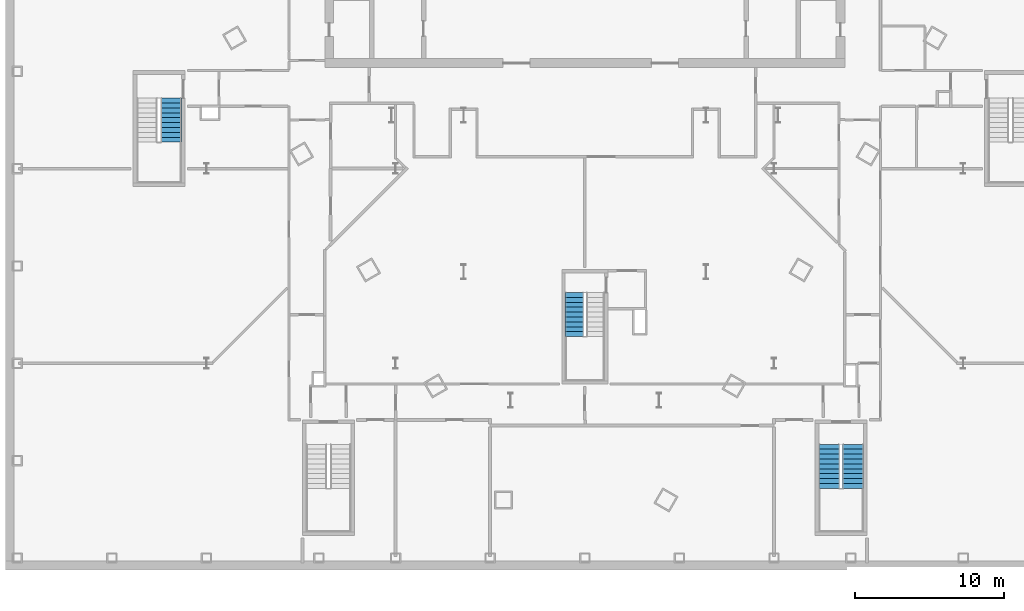
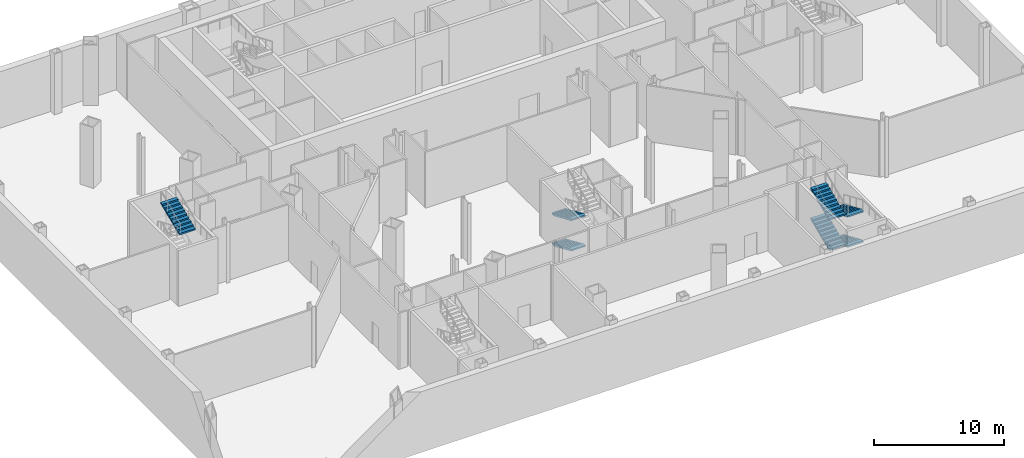
# One storey, part 13 of 17: 7 stair flights, 3 elements without a shape of their own.
"""IFC4 building model written with IfcOpenShell, lengths in metres."""

from ifc_helpers import new_model, si_unit, direction, frame, origin, place, context, subcontext, project, spatial, polygons, material, type_object, element, aggregate, save


model = new_model("IFC4")

# Units and contexts
model_context = context("Model", 3, precision=1e-05, world=origin(), true_north=direction((0.0, 1.0)))
body_context = subcontext(model_context, "Body", "Model", "MODEL_VIEW")
ifc_project = project(units=[si_unit("LENGTHUNIT", "METRE"), si_unit("AREAUNIT", "SQUARE_METRE"), si_unit("VOLUMEUNIT", "CUBIC_METRE"), si_unit("PLANEANGLEUNIT", "RADIAN"), si_unit("MASSUNIT", "GRAM", prefix="KILO")], contexts=[model_context])

# Site, building, storey
site_placement = place(None, origin())
site = spatial("IfcSite", under=ifc_project, at=site_placement, CompositionType="ELEMENT")
building_placement = place(site_placement, origin())
building = spatial("IfcBuilding", under=site, at=building_placement, Name="Njiva Tower", CompositionType="ELEMENT")
storey_placement = place(building_placement, frame((0.0, 0.0, -11.4)))
storey = spatial("IfcBuildingStorey", under=building, at=storey_placement, Name="B2", CompositionType="ELEMENT", Elevation=-11.4)

# Stair, stair flights
ifc_material = material(Name="Concrete C40/50", Category="concrete")
stair_type_1 = type_object("IfcStairType", Name="ST1 Exit stair 1250", PredefinedType="HALF_TURN_STAIR", material=ifc_material)
stair_1_placement = place(storey_placement, origin())
stair_1 = element("IfcStair", 1, at=stair_1_placement, inside=storey, type_object=stair_type_1, Name="Stair C basement", PredefinedType="DOUBLE_RETURN_STAIR")
stair_flight_type_1 = type_object("IfcStairFlightType", Name="FL1 Stair flight 1250", PredefinedType="STRAIGHT", material=ifc_material)
stair_flight_1_placement = place(storey_placement, frame((-0.7, -15.135, 0.0), z_axis=(0.0, 0.0, 1.0), x_axis=(0.0, -1.0, 0.0)))
stair_flight_1 = element("IfcStairFlight", 2, at=stair_flight_1_placement, type_object=stair_flight_type_1, Name="ST-CB flight 1", NumberOfRisers=10, NumberOfTreads=9, PredefinedType="STRAIGHT", RiserHeight=0.1425, TreadLength=0.33, context=body_context, shape_type="Tessellation", body=[
    polygons([(0.0, 0.625, 0.0), (0.0, 0.3125, 0.0), (0.0, 0.0, 0.0), (0.0, -0.3125, 0.0), (0.0, -0.625, 0.0), (0.0, 0.625, 0.1425), (0.0, 0.3125, 0.1425), (0.0, 0.0, 0.1425), (0.0, -0.3125, 0.1425), (0.0, -0.625, 0.1425), (0.33, 0.625, 0.1425), (0.33, 0.3125, 0.1425), (0.33, 0.0, 0.1425), (0.33, -0.3125, 0.1425), (0.33, -0.625, 0.1425), (0.33, 0.625, 0.285), (0.33, 0.3125, 0.285), (0.33, 0.0, 0.285), (0.33, -0.3125, 0.285), (0.33, -0.625, 0.285), (0.66, 0.625, 0.285), (0.66, 0.3125, 0.285), (0.66, 0.0, 0.285), (0.66, -0.3125, 0.285), (0.66, -0.625, 0.285), (0.66, 0.625, 0.4275), (0.66, 0.3125, 0.4275), (0.66, 0.0, 0.4275), (0.66, -0.3125, 0.4275), (0.66, -0.625, 0.4275), (0.99, 0.625, 0.4275), (0.99, 0.3125, 0.4275), (0.99, 0.0, 0.4275), (0.99, -0.3125, 0.4275), (0.99, -0.625, 0.4275), (0.99, 0.625, 0.57), (0.99, 0.3125, 0.57), (0.99, 0.0, 0.57), (0.99, -0.3125, 0.57), (0.99, -0.625, 0.57), (1.32, 0.625, 0.57), (1.32, 0.3125, 0.57), (1.32, 0.0, 0.57), (1.32, -0.3125, 0.57), (1.32, -0.625, 0.57), (1.32, 0.625, 0.7125), (1.32, 0.3125, 0.7125), (1.32, 0.0, 0.7125), (1.32, -0.3125, 0.7125), (1.32, -0.625, 0.7125), (1.65, 0.625, 0.7125), (1.65, 0.3125, 0.7125), (1.65, 0.0, 0.7125), (1.65, -0.3125, 0.7125), (1.65, -0.625, 0.7125), (1.65, 0.625, 0.855), (1.65, 0.3125, 0.855), (1.65, 0.0, 0.855), (1.65, -0.3125, 0.855), (1.65, -0.625, 0.855), (1.98, 0.625, 0.855), (1.98, 0.3125, 0.855), (1.98, 0.0, 0.855), (1.98, -0.3125, 0.855), (1.98, -0.625, 0.855), (1.98, 0.625, 0.9975), (1.98, 0.3125, 0.9975), (1.98, 0.0, 0.9975), (1.98, -0.3125, 0.9975), (1.98, -0.625, 0.9975), (2.31, 0.625, 0.9975), (2.31, 0.3125, 0.9975), (2.31, 0.0, 0.9975), (2.31, -0.3125, 0.9975), (2.31, -0.625, 0.9975), (2.31, 0.625, 1.14), (2.31, 0.3125, 1.14), (2.31, 0.0, 1.14), (2.31, -0.3125, 1.14), (2.31, -0.625, 1.14), (2.64, 0.625, 1.14), (2.64, 0.3125, 1.14), (2.64, 0.0, 1.14), (2.64, -0.3125, 1.14), (2.64, -0.625, 1.14), (2.64, 0.625, 1.2825), (2.64, 0.3125, 1.2825), (2.64, 0.0, 1.2825), (2.64, -0.3125, 1.2825), (2.64, -0.625, 1.2825), (2.97, 0.625, 1.2825), (2.97, 0.3125, 1.2825), (2.97, 0.0, 1.2825), (2.97, -0.3125, 1.2825), (2.97, -0.625, 1.2825), (2.97, 0.625, 1.1518), (2.97, 0.3125, 1.1518), (2.97, 0.0, 1.1518), (2.97, -0.3125, 1.1518), (2.97, -0.625, 1.1518), (0.3027, 0.625, 0.0), (0.3027, 0.3125, 0.0), (0.3027, 0.0, 0.0), (0.3027, -0.3125, 0.0), (0.3027, -0.625, 0.0)], [[[1, 6, 11, 16, 21, 26, 31, 36, 41, 46, 51, 56, 61, 66, 71, 76, 81, 86, 91, 96, 101]], [[105, 100, 95, 90, 85, 80, 75, 70, 65, 60, 55, 50, 45, 40, 35, 30, 25, 20, 15, 10, 5]], [[6, 1, 2, 7]], [[7, 2, 3, 8]], [[8, 3, 4, 9]], [[9, 4, 5, 10]], [[11, 6, 7, 12]], [[12, 7, 8, 13]], [[13, 8, 9, 14]], [[14, 9, 10, 15]], [[16, 11, 12, 17]], [[17, 12, 13, 18]], [[18, 13, 14, 19]], [[19, 14, 15, 20]], [[21, 16, 17, 22]], [[22, 17, 18, 23]], [[23, 18, 19, 24]], [[24, 19, 20, 25]], [[26, 21, 22, 27]], [[27, 22, 23, 28]], [[28, 23, 24, 29]], [[29, 24, 25, 30]], [[31, 26, 27, 32]], [[32, 27, 28, 33]], [[33, 28, 29, 34]], [[34, 29, 30, 35]], [[36, 31, 32, 37]], [[37, 32, 33, 38]], [[38, 33, 34, 39]], [[39, 34, 35, 40]], [[41, 36, 37, 42]], [[42, 37, 38, 43]], [[43, 38, 39, 44]], [[44, 39, 40, 45]], [[46, 41, 42, 47]], [[47, 42, 43, 48]], [[48, 43, 44, 49]], [[49, 44, 45, 50]], [[51, 46, 47, 52]], [[52, 47, 48, 53]], [[53, 48, 49, 54]], [[54, 49, 50, 55]], [[56, 51, 52, 57]], [[57, 52, 53, 58]], [[58, 53, 54, 59]], [[59, 54, 55, 60]], [[61, 56, 57, 62]], [[62, 57, 58, 63]], [[63, 58, 59, 64]], [[64, 59, 60, 65]], [[66, 61, 62, 67]], [[67, 62, 63, 68]], [[68, 63, 64, 69]], [[69, 64, 65, 70]], [[71, 66, 67, 72]], [[72, 67, 68, 73]], [[73, 68, 69, 74]], [[74, 69, 70, 75]], [[76, 71, 72, 77]], [[77, 72, 73, 78]], [[78, 73, 74, 79]], [[79, 74, 75, 80]], [[81, 76, 77, 82]], [[82, 77, 78, 83]], [[83, 78, 79, 84]], [[84, 79, 80, 85]], [[86, 81, 82, 87]], [[87, 82, 83, 88]], [[88, 83, 84, 89]], [[89, 84, 85, 90]], [[91, 86, 87, 92]], [[92, 87, 88, 93]], [[93, 88, 89, 94]], [[94, 89, 90, 95]], [[96, 91, 92, 97]], [[97, 92, 93, 98]], [[98, 93, 94, 99]], [[99, 94, 95, 100]], [[101, 96, 97, 102]], [[102, 97, 98, 103]], [[103, 98, 99, 104]], [[104, 99, 100, 105]], [[1, 101, 102, 2]], [[2, 102, 103, 3]], [[3, 103, 104, 4]], [[4, 104, 105, 5]]], closed=True),
])
stair_flight_2_placement = place(storey_placement, frame((-0.7, -15.135, 2.85), z_axis=(0.0, 0.0, 1.0), x_axis=(0.0, -1.0, 0.0)))
stair_flight_2 = element("IfcStairFlight", 3, at=stair_flight_2_placement, type_object=stair_flight_type_1, Name="ST-CB flight 3", NumberOfRisers=10, NumberOfTreads=9, PredefinedType="STRAIGHT", RiserHeight=0.1425, TreadLength=0.33, context=body_context, shape_type="Tessellation", body=[
    polygons([(0.0, 0.625, 0.0), (0.0, 0.3125, 0.0), (0.0, 0.0, 0.0), (0.0, -0.3125, 0.0), (0.0, -0.625, 0.0), (0.0, 0.625, 0.1425), (0.0, 0.3125, 0.1425), (0.0, 0.0, 0.1425), (0.0, -0.3125, 0.1425), (0.0, -0.625, 0.1425), (0.33, 0.625, 0.1425), (0.33, 0.3125, 0.1425), (0.33, 0.0, 0.1425), (0.33, -0.3125, 0.1425), (0.33, -0.625, 0.1425), (0.33, 0.625, 0.285), (0.33, 0.3125, 0.285), (0.33, 0.0, 0.285), (0.33, -0.3125, 0.285), (0.33, -0.625, 0.285), (0.66, 0.625, 0.285), (0.66, 0.3125, 0.285), (0.66, 0.0, 0.285), (0.66, -0.3125, 0.285), (0.66, -0.625, 0.285), (0.66, 0.625, 0.4275), (0.66, 0.3125, 0.4275), (0.66, 0.0, 0.4275), (0.66, -0.3125, 0.4275), (0.66, -0.625, 0.4275), (0.99, 0.625, 0.4275), (0.99, 0.3125, 0.4275), (0.99, 0.0, 0.4275), (0.99, -0.3125, 0.4275), (0.99, -0.625, 0.4275), (0.99, 0.625, 0.57), (0.99, 0.3125, 0.57), (0.99, 0.0, 0.57), (0.99, -0.3125, 0.57), (0.99, -0.625, 0.57), (1.32, 0.625, 0.57), (1.32, 0.3125, 0.57), (1.32, 0.0, 0.57), (1.32, -0.3125, 0.57), (1.32, -0.625, 0.57), (1.32, 0.625, 0.7125), (1.32, 0.3125, 0.7125), (1.32, 0.0, 0.7125), (1.32, -0.3125, 0.7125), (1.32, -0.625, 0.7125), (1.65, 0.625, 0.7125), (1.65, 0.3125, 0.7125), (1.65, 0.0, 0.7125), (1.65, -0.3125, 0.7125), (1.65, -0.625, 0.7125), (1.65, 0.625, 0.855), (1.65, 0.3125, 0.855), (1.65, 0.0, 0.855), (1.65, -0.3125, 0.855), (1.65, -0.625, 0.855), (1.98, 0.625, 0.855), (1.98, 0.3125, 0.855), (1.98, 0.0, 0.855), (1.98, -0.3125, 0.855), (1.98, -0.625, 0.855), (1.98, 0.625, 0.9975), (1.98, 0.3125, 0.9975), (1.98, 0.0, 0.9975), (1.98, -0.3125, 0.9975), (1.98, -0.625, 0.9975), (2.31, 0.625, 0.9975), (2.31, 0.3125, 0.9975), (2.31, 0.0, 0.9975), (2.31, -0.3125, 0.9975), (2.31, -0.625, 0.9975), (2.31, 0.625, 1.14), (2.31, 0.3125, 1.14), (2.31, 0.0, 1.14), (2.31, -0.3125, 1.14), (2.31, -0.625, 1.14), (2.64, 0.625, 1.14), (2.64, 0.3125, 1.14), (2.64, 0.0, 1.14), (2.64, -0.3125, 1.14), (2.64, -0.625, 1.14), (2.64, 0.625, 1.2825), (2.64, 0.3125, 1.2825), (2.64, 0.0, 1.2825), (2.64, -0.3125, 1.2825), (2.64, -0.625, 1.2825), (2.97, 0.625, 1.2825), (2.97, 0.3125, 1.2825), (2.97, 0.0, 1.2825), (2.97, -0.3125, 1.2825), (2.97, -0.625, 1.2825), (2.97, 0.625, 1.1518), (2.97, 0.3125, 1.1518), (2.97, 0.0, 1.1518), (2.97, -0.3125, 1.1518), (2.97, -0.625, 1.1518), (0.3027, 0.625, 0.0), (0.3027, 0.3125, 0.0), (0.3027, 0.0, 0.0), (0.3027, -0.3125, 0.0), (0.3027, -0.625, 0.0)], [[[1, 6, 11, 16, 21, 26, 31, 36, 41, 46, 51, 56, 61, 66, 71, 76, 81, 86, 91, 96, 101]], [[105, 100, 95, 90, 85, 80, 75, 70, 65, 60, 55, 50, 45, 40, 35, 30, 25, 20, 15, 10, 5]], [[6, 1, 2, 7]], [[7, 2, 3, 8]], [[8, 3, 4, 9]], [[9, 4, 5, 10]], [[11, 6, 7, 12]], [[12, 7, 8, 13]], [[13, 8, 9, 14]], [[14, 9, 10, 15]], [[16, 11, 12, 17]], [[17, 12, 13, 18]], [[18, 13, 14, 19]], [[19, 14, 15, 20]], [[21, 16, 17, 22]], [[22, 17, 18, 23]], [[23, 18, 19, 24]], [[24, 19, 20, 25]], [[26, 21, 22, 27]], [[27, 22, 23, 28]], [[28, 23, 24, 29]], [[29, 24, 25, 30]], [[31, 26, 27, 32]], [[32, 27, 28, 33]], [[33, 28, 29, 34]], [[34, 29, 30, 35]], [[36, 31, 32, 37]], [[37, 32, 33, 38]], [[38, 33, 34, 39]], [[39, 34, 35, 40]], [[41, 36, 37, 42]], [[42, 37, 38, 43]], [[43, 38, 39, 44]], [[44, 39, 40, 45]], [[46, 41, 42, 47]], [[47, 42, 43, 48]], [[48, 43, 44, 49]], [[49, 44, 45, 50]], [[51, 46, 47, 52]], [[52, 47, 48, 53]], [[53, 48, 49, 54]], [[54, 49, 50, 55]], [[56, 51, 52, 57]], [[57, 52, 53, 58]], [[58, 53, 54, 59]], [[59, 54, 55, 60]], [[61, 56, 57, 62]], [[62, 57, 58, 63]], [[63, 58, 59, 64]], [[64, 59, 60, 65]], [[66, 61, 62, 67]], [[67, 62, 63, 68]], [[68, 63, 64, 69]], [[69, 64, 65, 70]], [[71, 66, 67, 72]], [[72, 67, 68, 73]], [[73, 68, 69, 74]], [[74, 69, 70, 75]], [[76, 71, 72, 77]], [[77, 72, 73, 78]], [[78, 73, 74, 79]], [[79, 74, 75, 80]], [[81, 76, 77, 82]], [[82, 77, 78, 83]], [[83, 78, 79, 84]], [[84, 79, 80, 85]], [[86, 81, 82, 87]], [[87, 82, 83, 88]], [[88, 83, 84, 89]], [[89, 84, 85, 90]], [[91, 86, 87, 92]], [[92, 87, 88, 93]], [[93, 88, 89, 94]], [[94, 89, 90, 95]], [[96, 91, 92, 97]], [[97, 92, 93, 98]], [[98, 93, 94, 99]], [[99, 94, 95, 100]], [[101, 96, 97, 102]], [[102, 97, 98, 103]], [[103, 98, 99, 104]], [[104, 99, 100, 105]], [[1, 101, 102, 2]], [[2, 102, 103, 3]], [[3, 103, 104, 4]], [[4, 104, 105, 5]]], closed=True),
])
aggregate(stair_1, [stair_flight_1, stair_flight_2])

stair_type_2 = type_object("IfcStairType", Name="ST2 Exit stair 1400", PredefinedType="HALF_TURN_STAIR", material=ifc_material)
stair_2_placement = place(storey_placement, origin())
stair_2 = element("IfcStair", 4, at=stair_2_placement, inside=storey, type_object=stair_type_2, Name="Stair E basement", PredefinedType="DOUBLE_RETURN_STAIR")
stair_flight_type_2 = type_object("IfcStairFlightType", Name="FL2 Stair flight 1400", PredefinedType="STRAIGHT", material=ifc_material)
stair_flight_3_placement = place(storey_placement, frame((18.05, -25.35, 0.0), z_axis=(0.0, 0.0, 1.0), x_axis=(0.0, -1.0, 0.0)))
stair_flight_3 = element("IfcStairFlight", 5, at=stair_flight_3_placement, type_object=stair_flight_type_2, Name="ST-EB flight 1", NumberOfRisers=10, NumberOfTreads=9, PredefinedType="STRAIGHT", RiserHeight=0.1425, TreadLength=0.33, context=body_context, shape_type="Tessellation", body=[
    polygons([(0.0, 0.7, 0.0), (0.0, 0.35, 0.0), (0.0, 0.0, 0.0), (0.0, -0.35, 0.0), (0.0, -0.7, 0.0), (0.0, 0.7, 0.1425), (0.0, 0.35, 0.1425), (0.0, 0.0, 0.1425), (0.0, -0.35, 0.1425), (0.0, -0.7, 0.1425), (0.33, 0.7, 0.1425), (0.33, 0.35, 0.1425), (0.33, 0.0, 0.1425), (0.33, -0.35, 0.1425), (0.33, -0.7, 0.1425), (0.33, 0.7, 0.285), (0.33, 0.35, 0.285), (0.33, 0.0, 0.285), (0.33, -0.35, 0.285), (0.33, -0.7, 0.285), (0.66, 0.7, 0.285), (0.66, 0.35, 0.285), (0.66, 0.0, 0.285), (0.66, -0.35, 0.285), (0.66, -0.7, 0.285), (0.66, 0.7, 0.4275), (0.66, 0.35, 0.4275), (0.66, 0.0, 0.4275), (0.66, -0.35, 0.4275), (0.66, -0.7, 0.4275), (0.99, 0.7, 0.4275), (0.99, 0.35, 0.4275), (0.99, 0.0, 0.4275), (0.99, -0.35, 0.4275), (0.99, -0.7, 0.4275), (0.99, 0.7, 0.57), (0.99, 0.35, 0.57), (0.99, 0.0, 0.57), (0.99, -0.35, 0.57), (0.99, -0.7, 0.57), (1.32, 0.7, 0.57), (1.32, 0.35, 0.57), (1.32, 0.0, 0.57), (1.32, -0.35, 0.57), (1.32, -0.7, 0.57), (1.32, 0.7, 0.7125), (1.32, 0.35, 0.7125), (1.32, 0.0, 0.7125), (1.32, -0.35, 0.7125), (1.32, -0.7, 0.7125), (1.65, 0.7, 0.7125), (1.65, 0.35, 0.7125), (1.65, 0.0, 0.7125), (1.65, -0.35, 0.7125), (1.65, -0.7, 0.7125), (1.65, 0.7, 0.855), (1.65, 0.35, 0.855), (1.65, 0.0, 0.855), (1.65, -0.35, 0.855), (1.65, -0.7, 0.855), (1.98, 0.7, 0.855), (1.98, 0.35, 0.855), (1.98, 0.0, 0.855), (1.98, -0.35, 0.855), (1.98, -0.7, 0.855), (1.98, 0.7, 0.9975), (1.98, 0.35, 0.9975), (1.98, 0.0, 0.9975), (1.98, -0.35, 0.9975), (1.98, -0.7, 0.9975), (2.31, 0.7, 0.9975), (2.31, 0.35, 0.9975), (2.31, 0.0, 0.9975), (2.31, -0.35, 0.9975), (2.31, -0.7, 0.9975), (2.31, 0.7, 1.14), (2.31, 0.35, 1.14), (2.31, 0.0, 1.14), (2.31, -0.35, 1.14), (2.31, -0.7, 1.14), (2.64, 0.7, 1.14), (2.64, 0.35, 1.14), (2.64, 0.0, 1.14), (2.64, -0.35, 1.14), (2.64, -0.7, 1.14), (2.64, 0.7, 1.2825), (2.64, 0.35, 1.2825), (2.64, 0.0, 1.2825), (2.64, -0.35, 1.2825), (2.64, -0.7, 1.2825), (2.97, 0.7, 1.2825), (2.97, 0.35, 1.2825), (2.97, 0.0, 1.2825), (2.97, -0.35, 1.2825), (2.97, -0.7, 1.2825), (2.97, 0.7, 1.1518), (2.97, 0.35, 1.1518), (2.97, 0.0, 1.1518), (2.97, -0.35, 1.1518), (2.97, -0.7, 1.1518), (0.3027, 0.7, 0.0), (0.3027, 0.35, 0.0), (0.3027, 0.0, 0.0), (0.3027, -0.35, 0.0), (0.3027, -0.7, 0.0)], [[[1, 6, 11, 16, 21, 26, 31, 36, 41, 46, 51, 56, 61, 66, 71, 76, 81, 86, 91, 96, 101]], [[105, 100, 95, 90, 85, 80, 75, 70, 65, 60, 55, 50, 45, 40, 35, 30, 25, 20, 15, 10, 5]], [[6, 1, 2, 7]], [[7, 2, 3, 8]], [[8, 3, 4, 9]], [[9, 4, 5, 10]], [[11, 6, 7, 12]], [[12, 7, 8, 13]], [[13, 8, 9, 14]], [[14, 9, 10, 15]], [[16, 11, 12, 17]], [[17, 12, 13, 18]], [[18, 13, 14, 19]], [[19, 14, 15, 20]], [[21, 16, 17, 22]], [[22, 17, 18, 23]], [[23, 18, 19, 24]], [[24, 19, 20, 25]], [[26, 21, 22, 27]], [[27, 22, 23, 28]], [[28, 23, 24, 29]], [[29, 24, 25, 30]], [[31, 26, 27, 32]], [[32, 27, 28, 33]], [[33, 28, 29, 34]], [[34, 29, 30, 35]], [[36, 31, 32, 37]], [[37, 32, 33, 38]], [[38, 33, 34, 39]], [[39, 34, 35, 40]], [[41, 36, 37, 42]], [[42, 37, 38, 43]], [[43, 38, 39, 44]], [[44, 39, 40, 45]], [[46, 41, 42, 47]], [[47, 42, 43, 48]], [[48, 43, 44, 49]], [[49, 44, 45, 50]], [[51, 46, 47, 52]], [[52, 47, 48, 53]], [[53, 48, 49, 54]], [[54, 49, 50, 55]], [[56, 51, 52, 57]], [[57, 52, 53, 58]], [[58, 53, 54, 59]], [[59, 54, 55, 60]], [[61, 56, 57, 62]], [[62, 57, 58, 63]], [[63, 58, 59, 64]], [[64, 59, 60, 65]], [[66, 61, 62, 67]], [[67, 62, 63, 68]], [[68, 63, 64, 69]], [[69, 64, 65, 70]], [[71, 66, 67, 72]], [[72, 67, 68, 73]], [[73, 68, 69, 74]], [[74, 69, 70, 75]], [[76, 71, 72, 77]], [[77, 72, 73, 78]], [[78, 73, 74, 79]], [[79, 74, 75, 80]], [[81, 76, 77, 82]], [[82, 77, 78, 83]], [[83, 78, 79, 84]], [[84, 79, 80, 85]], [[86, 81, 82, 87]], [[87, 82, 83, 88]], [[88, 83, 84, 89]], [[89, 84, 85, 90]], [[91, 86, 87, 92]], [[92, 87, 88, 93]], [[93, 88, 89, 94]], [[94, 89, 90, 95]], [[96, 91, 92, 97]], [[97, 92, 93, 98]], [[98, 93, 94, 99]], [[99, 94, 95, 100]], [[101, 96, 97, 102]], [[102, 97, 98, 103]], [[103, 98, 99, 104]], [[104, 99, 100, 105]], [[1, 101, 102, 2]], [[2, 102, 103, 3]], [[3, 103, 104, 4]], [[4, 104, 105, 5]]], closed=True),
])
stair_flight_4_placement = place(storey_placement, frame((16.45, -28.32, 1.425), z_axis=(0.0, 0.0, 1.0), x_axis=(0.0, 1.0, 0.0)))
stair_flight_4 = element("IfcStairFlight", 6, at=stair_flight_4_placement, type_object=stair_flight_type_2, Name="ST-EB flight 2", NumberOfRisers=10, NumberOfTreads=9, PredefinedType="STRAIGHT", RiserHeight=0.1425, TreadLength=0.33, context=body_context, shape_type="Tessellation", body=[
    polygons([(0.0, 0.7, 0.0), (0.0, 0.35, 0.0), (0.0, 0.0, 0.0), (0.0, -0.35, 0.0), (0.0, -0.7, 0.0), (0.0, 0.7, 0.1425), (0.0, 0.35, 0.1425), (0.0, 0.0, 0.1425), (0.0, -0.35, 0.1425), (0.0, -0.7, 0.1425), (0.33, 0.7, 0.1425), (0.33, 0.35, 0.1425), (0.33, 0.0, 0.1425), (0.33, -0.35, 0.1425), (0.33, -0.7, 0.1425), (0.33, 0.7, 0.285), (0.33, 0.35, 0.285), (0.33, 0.0, 0.285), (0.33, -0.35, 0.285), (0.33, -0.7, 0.285), (0.66, 0.7, 0.285), (0.66, 0.35, 0.285), (0.66, 0.0, 0.285), (0.66, -0.35, 0.285), (0.66, -0.7, 0.285), (0.66, 0.7, 0.4275), (0.66, 0.35, 0.4275), (0.66, 0.0, 0.4275), (0.66, -0.35, 0.4275), (0.66, -0.7, 0.4275), (0.99, 0.7, 0.4275), (0.99, 0.35, 0.4275), (0.99, 0.0, 0.4275), (0.99, -0.35, 0.4275), (0.99, -0.7, 0.4275), (0.99, 0.7, 0.57), (0.99, 0.35, 0.57), (0.99, 0.0, 0.57), (0.99, -0.35, 0.57), (0.99, -0.7, 0.57), (1.32, 0.7, 0.57), (1.32, 0.35, 0.57), (1.32, 0.0, 0.57), (1.32, -0.35, 0.57), (1.32, -0.7, 0.57), (1.32, 0.7, 0.7125), (1.32, 0.35, 0.7125), (1.32, 0.0, 0.7125), (1.32, -0.35, 0.7125), (1.32, -0.7, 0.7125), (1.65, 0.7, 0.7125), (1.65, 0.35, 0.7125), (1.65, 0.0, 0.7125), (1.65, -0.35, 0.7125), (1.65, -0.7, 0.7125), (1.65, 0.7, 0.855), (1.65, 0.35, 0.855), (1.65, 0.0, 0.855), (1.65, -0.35, 0.855), (1.65, -0.7, 0.855), (1.98, 0.7, 0.855), (1.98, 0.35, 0.855), (1.98, 0.0, 0.855), (1.98, -0.35, 0.855), (1.98, -0.7, 0.855), (1.98, 0.7, 0.9975), (1.98, 0.35, 0.9975), (1.98, 0.0, 0.9975), (1.98, -0.35, 0.9975), (1.98, -0.7, 0.9975), (2.31, 0.7, 0.9975), (2.31, 0.35, 0.9975), (2.31, 0.0, 0.9975), (2.31, -0.35, 0.9975), (2.31, -0.7, 0.9975), (2.31, 0.7, 1.14), (2.31, 0.35, 1.14), (2.31, 0.0, 1.14), (2.31, -0.35, 1.14), (2.31, -0.7, 1.14), (2.64, 0.7, 1.14), (2.64, 0.35, 1.14), (2.64, 0.0, 1.14), (2.64, -0.35, 1.14), (2.64, -0.7, 1.14), (2.64, 0.7, 1.2825), (2.64, 0.35, 1.2825), (2.64, 0.0, 1.2825), (2.64, -0.35, 1.2825), (2.64, -0.7, 1.2825), (2.97, 0.7, 1.2825), (2.97, 0.35, 1.2825), (2.97, 0.0, 1.2825), (2.97, -0.35, 1.2825), (2.97, -0.7, 1.2825), (2.97, 0.7, 1.1518), (2.97, 0.35, 1.1518), (2.97, 0.0, 1.1518), (2.97, -0.35, 1.1518), (2.97, -0.7, 1.1518), (0.3027, 0.7, 0.0), (0.3027, 0.35, 0.0), (0.3027, 0.0, 0.0), (0.3027, -0.35, 0.0), (0.3027, -0.7, 0.0)], [[[1, 6, 11, 16, 21, 26, 31, 36, 41, 46, 51, 56, 61, 66, 71, 76, 81, 86, 91, 96, 101]], [[105, 100, 95, 90, 85, 80, 75, 70, 65, 60, 55, 50, 45, 40, 35, 30, 25, 20, 15, 10, 5]], [[6, 1, 2, 7]], [[7, 2, 3, 8]], [[8, 3, 4, 9]], [[9, 4, 5, 10]], [[11, 6, 7, 12]], [[12, 7, 8, 13]], [[13, 8, 9, 14]], [[14, 9, 10, 15]], [[16, 11, 12, 17]], [[17, 12, 13, 18]], [[18, 13, 14, 19]], [[19, 14, 15, 20]], [[21, 16, 17, 22]], [[22, 17, 18, 23]], [[23, 18, 19, 24]], [[24, 19, 20, 25]], [[26, 21, 22, 27]], [[27, 22, 23, 28]], [[28, 23, 24, 29]], [[29, 24, 25, 30]], [[31, 26, 27, 32]], [[32, 27, 28, 33]], [[33, 28, 29, 34]], [[34, 29, 30, 35]], [[36, 31, 32, 37]], [[37, 32, 33, 38]], [[38, 33, 34, 39]], [[39, 34, 35, 40]], [[41, 36, 37, 42]], [[42, 37, 38, 43]], [[43, 38, 39, 44]], [[44, 39, 40, 45]], [[46, 41, 42, 47]], [[47, 42, 43, 48]], [[48, 43, 44, 49]], [[49, 44, 45, 50]], [[51, 46, 47, 52]], [[52, 47, 48, 53]], [[53, 48, 49, 54]], [[54, 49, 50, 55]], [[56, 51, 52, 57]], [[57, 52, 53, 58]], [[58, 53, 54, 59]], [[59, 54, 55, 60]], [[61, 56, 57, 62]], [[62, 57, 58, 63]], [[63, 58, 59, 64]], [[64, 59, 60, 65]], [[66, 61, 62, 67]], [[67, 62, 63, 68]], [[68, 63, 64, 69]], [[69, 64, 65, 70]], [[71, 66, 67, 72]], [[72, 67, 68, 73]], [[73, 68, 69, 74]], [[74, 69, 70, 75]], [[76, 71, 72, 77]], [[77, 72, 73, 78]], [[78, 73, 74, 79]], [[79, 74, 75, 80]], [[81, 76, 77, 82]], [[82, 77, 78, 83]], [[83, 78, 79, 84]], [[84, 79, 80, 85]], [[86, 81, 82, 87]], [[87, 82, 83, 88]], [[88, 83, 84, 89]], [[89, 84, 85, 90]], [[91, 86, 87, 92]], [[92, 87, 88, 93]], [[93, 88, 89, 94]], [[94, 89, 90, 95]], [[96, 91, 92, 97]], [[97, 92, 93, 98]], [[98, 93, 94, 99]], [[99, 94, 95, 100]], [[101, 96, 97, 102]], [[102, 97, 98, 103]], [[103, 98, 99, 104]], [[104, 99, 100, 105]], [[1, 101, 102, 2]], [[2, 102, 103, 3]], [[3, 103, 104, 4]], [[4, 104, 105, 5]]], closed=True),
])
stair_flight_5_placement = place(storey_placement, frame((18.05, -25.35, 2.85), z_axis=(0.0, 0.0, 1.0), x_axis=(0.0, -1.0, 0.0)))
stair_flight_5 = element("IfcStairFlight", 7, at=stair_flight_5_placement, type_object=stair_flight_type_2, Name="ST-EB flight 3", NumberOfRisers=10, NumberOfTreads=9, PredefinedType="STRAIGHT", RiserHeight=0.1425, TreadLength=0.33, context=body_context, shape_type="Tessellation", body=[
    polygons([(0.0, 0.7, 0.0), (0.0, 0.35, 0.0), (0.0, 0.0, 0.0), (0.0, -0.35, 0.0), (0.0, -0.7, 0.0), (0.0, 0.7, 0.1425), (0.0, 0.35, 0.1425), (0.0, 0.0, 0.1425), (0.0, -0.35, 0.1425), (0.0, -0.7, 0.1425), (0.33, 0.7, 0.1425), (0.33, 0.35, 0.1425), (0.33, 0.0, 0.1425), (0.33, -0.35, 0.1425), (0.33, -0.7, 0.1425), (0.33, 0.7, 0.285), (0.33, 0.35, 0.285), (0.33, 0.0, 0.285), (0.33, -0.35, 0.285), (0.33, -0.7, 0.285), (0.66, 0.7, 0.285), (0.66, 0.35, 0.285), (0.66, 0.0, 0.285), (0.66, -0.35, 0.285), (0.66, -0.7, 0.285), (0.66, 0.7, 0.4275), (0.66, 0.35, 0.4275), (0.66, 0.0, 0.4275), (0.66, -0.35, 0.4275), (0.66, -0.7, 0.4275), (0.99, 0.7, 0.4275), (0.99, 0.35, 0.4275), (0.99, 0.0, 0.4275), (0.99, -0.35, 0.4275), (0.99, -0.7, 0.4275), (0.99, 0.7, 0.57), (0.99, 0.35, 0.57), (0.99, 0.0, 0.57), (0.99, -0.35, 0.57), (0.99, -0.7, 0.57), (1.32, 0.7, 0.57), (1.32, 0.35, 0.57), (1.32, 0.0, 0.57), (1.32, -0.35, 0.57), (1.32, -0.7, 0.57), (1.32, 0.7, 0.7125), (1.32, 0.35, 0.7125), (1.32, 0.0, 0.7125), (1.32, -0.35, 0.7125), (1.32, -0.7, 0.7125), (1.65, 0.7, 0.7125), (1.65, 0.35, 0.7125), (1.65, 0.0, 0.7125), (1.65, -0.35, 0.7125), (1.65, -0.7, 0.7125), (1.65, 0.7, 0.855), (1.65, 0.35, 0.855), (1.65, 0.0, 0.855), (1.65, -0.35, 0.855), (1.65, -0.7, 0.855), (1.98, 0.7, 0.855), (1.98, 0.35, 0.855), (1.98, 0.0, 0.855), (1.98, -0.35, 0.855), (1.98, -0.7, 0.855), (1.98, 0.7, 0.9975), (1.98, 0.35, 0.9975), (1.98, 0.0, 0.9975), (1.98, -0.35, 0.9975), (1.98, -0.7, 0.9975), (2.31, 0.7, 0.9975), (2.31, 0.35, 0.9975), (2.31, 0.0, 0.9975), (2.31, -0.35, 0.9975), (2.31, -0.7, 0.9975), (2.31, 0.7, 1.14), (2.31, 0.35, 1.14), (2.31, 0.0, 1.14), (2.31, -0.35, 1.14), (2.31, -0.7, 1.14), (2.64, 0.7, 1.14), (2.64, 0.35, 1.14), (2.64, 0.0, 1.14), (2.64, -0.35, 1.14), (2.64, -0.7, 1.14), (2.64, 0.7, 1.2825), (2.64, 0.35, 1.2825), (2.64, 0.0, 1.2825), (2.64, -0.35, 1.2825), (2.64, -0.7, 1.2825), (2.97, 0.7, 1.2825), (2.97, 0.35, 1.2825), (2.97, 0.0, 1.2825), (2.97, -0.35, 1.2825), (2.97, -0.7, 1.2825), (2.97, 0.7, 1.1518), (2.97, 0.35, 1.1518), (2.97, 0.0, 1.1518), (2.97, -0.35, 1.1518), (2.97, -0.7, 1.1518), (0.3027, 0.7, 0.0), (0.3027, 0.35, 0.0), (0.3027, 0.0, 0.0), (0.3027, -0.35, 0.0), (0.3027, -0.7, 0.0)], [[[1, 6, 11, 16, 21, 26, 31, 36, 41, 46, 51, 56, 61, 66, 71, 76, 81, 86, 91, 96, 101]], [[105, 100, 95, 90, 85, 80, 75, 70, 65, 60, 55, 50, 45, 40, 35, 30, 25, 20, 15, 10, 5]], [[6, 1, 2, 7]], [[7, 2, 3, 8]], [[8, 3, 4, 9]], [[9, 4, 5, 10]], [[11, 6, 7, 12]], [[12, 7, 8, 13]], [[13, 8, 9, 14]], [[14, 9, 10, 15]], [[16, 11, 12, 17]], [[17, 12, 13, 18]], [[18, 13, 14, 19]], [[19, 14, 15, 20]], [[21, 16, 17, 22]], [[22, 17, 18, 23]], [[23, 18, 19, 24]], [[24, 19, 20, 25]], [[26, 21, 22, 27]], [[27, 22, 23, 28]], [[28, 23, 24, 29]], [[29, 24, 25, 30]], [[31, 26, 27, 32]], [[32, 27, 28, 33]], [[33, 28, 29, 34]], [[34, 29, 30, 35]], [[36, 31, 32, 37]], [[37, 32, 33, 38]], [[38, 33, 34, 39]], [[39, 34, 35, 40]], [[41, 36, 37, 42]], [[42, 37, 38, 43]], [[43, 38, 39, 44]], [[44, 39, 40, 45]], [[46, 41, 42, 47]], [[47, 42, 43, 48]], [[48, 43, 44, 49]], [[49, 44, 45, 50]], [[51, 46, 47, 52]], [[52, 47, 48, 53]], [[53, 48, 49, 54]], [[54, 49, 50, 55]], [[56, 51, 52, 57]], [[57, 52, 53, 58]], [[58, 53, 54, 59]], [[59, 54, 55, 60]], [[61, 56, 57, 62]], [[62, 57, 58, 63]], [[63, 58, 59, 64]], [[64, 59, 60, 65]], [[66, 61, 62, 67]], [[67, 62, 63, 68]], [[68, 63, 64, 69]], [[69, 64, 65, 70]], [[71, 66, 67, 72]], [[72, 67, 68, 73]], [[73, 68, 69, 74]], [[74, 69, 70, 75]], [[76, 71, 72, 77]], [[77, 72, 73, 78]], [[78, 73, 74, 79]], [[79, 74, 75, 80]], [[81, 76, 77, 82]], [[82, 77, 78, 83]], [[83, 78, 79, 84]], [[84, 79, 80, 85]], [[86, 81, 82, 87]], [[87, 82, 83, 88]], [[88, 83, 84, 89]], [[89, 84, 85, 90]], [[91, 86, 87, 92]], [[92, 87, 88, 93]], [[93, 88, 89, 94]], [[94, 89, 90, 95]], [[96, 91, 92, 97]], [[97, 92, 93, 98]], [[98, 93, 94, 99]], [[99, 94, 95, 100]], [[101, 96, 97, 102]], [[102, 97, 98, 103]], [[103, 98, 99, 104]], [[104, 99, 100, 105]], [[1, 101, 102, 2]], [[2, 102, 103, 3]], [[3, 103, 104, 4]], [[4, 104, 105, 5]]], closed=True),
])
stair_flight_6_placement = place(storey_placement, frame((16.45, -28.32, 4.275), z_axis=(0.0, 0.0, 1.0), x_axis=(0.0, 1.0, 0.0)))
stair_flight_6 = element("IfcStairFlight", 8, at=stair_flight_6_placement, type_object=stair_flight_type_2, Name="ST-EB flight 4", NumberOfRisers=10, NumberOfTreads=9, PredefinedType="STRAIGHT", RiserHeight=0.1425, TreadLength=0.33, context=body_context, shape_type="Tessellation", body=[
    polygons([(0.0, 0.7, 0.0), (0.0, 0.35, 0.0), (0.0, 0.0, 0.0), (0.0, -0.35, 0.0), (0.0, -0.7, 0.0), (0.0, 0.7, 0.1425), (0.0, 0.35, 0.1425), (0.0, 0.0, 0.1425), (0.0, -0.35, 0.1425), (0.0, -0.7, 0.1425), (0.33, 0.7, 0.1425), (0.33, 0.35, 0.1425), (0.33, 0.0, 0.1425), (0.33, -0.35, 0.1425), (0.33, -0.7, 0.1425), (0.33, 0.7, 0.285), (0.33, 0.35, 0.285), (0.33, 0.0, 0.285), (0.33, -0.35, 0.285), (0.33, -0.7, 0.285), (0.66, 0.7, 0.285), (0.66, 0.35, 0.285), (0.66, 0.0, 0.285), (0.66, -0.35, 0.285), (0.66, -0.7, 0.285), (0.66, 0.7, 0.4275), (0.66, 0.35, 0.4275), (0.66, 0.0, 0.4275), (0.66, -0.35, 0.4275), (0.66, -0.7, 0.4275), (0.99, 0.7, 0.4275), (0.99, 0.35, 0.4275), (0.99, 0.0, 0.4275), (0.99, -0.35, 0.4275), (0.99, -0.7, 0.4275), (0.99, 0.7, 0.57), (0.99, 0.35, 0.57), (0.99, 0.0, 0.57), (0.99, -0.35, 0.57), (0.99, -0.7, 0.57), (1.32, 0.7, 0.57), (1.32, 0.35, 0.57), (1.32, 0.0, 0.57), (1.32, -0.35, 0.57), (1.32, -0.7, 0.57), (1.32, 0.7, 0.7125), (1.32, 0.35, 0.7125), (1.32, 0.0, 0.7125), (1.32, -0.35, 0.7125), (1.32, -0.7, 0.7125), (1.65, 0.7, 0.7125), (1.65, 0.35, 0.7125), (1.65, 0.0, 0.7125), (1.65, -0.35, 0.7125), (1.65, -0.7, 0.7125), (1.65, 0.7, 0.855), (1.65, 0.35, 0.855), (1.65, 0.0, 0.855), (1.65, -0.35, 0.855), (1.65, -0.7, 0.855), (1.98, 0.7, 0.855), (1.98, 0.35, 0.855), (1.98, 0.0, 0.855), (1.98, -0.35, 0.855), (1.98, -0.7, 0.855), (1.98, 0.7, 0.9975), (1.98, 0.35, 0.9975), (1.98, 0.0, 0.9975), (1.98, -0.35, 0.9975), (1.98, -0.7, 0.9975), (2.31, 0.7, 0.9975), (2.31, 0.35, 0.9975), (2.31, 0.0, 0.9975), (2.31, -0.35, 0.9975), (2.31, -0.7, 0.9975), (2.31, 0.7, 1.14), (2.31, 0.35, 1.14), (2.31, 0.0, 1.14), (2.31, -0.35, 1.14), (2.31, -0.7, 1.14), (2.64, 0.7, 1.14), (2.64, 0.35, 1.14), (2.64, 0.0, 1.14), (2.64, -0.35, 1.14), (2.64, -0.7, 1.14), (2.64, 0.7, 1.2825), (2.64, 0.35, 1.2825), (2.64, 0.0, 1.2825), (2.64, -0.35, 1.2825), (2.64, -0.7, 1.2825), (2.97, 0.7, 1.2825), (2.97, 0.35, 1.2825), (2.97, 0.0, 1.2825), (2.97, -0.35, 1.2825), (2.97, -0.7, 1.2825), (2.97, 0.7, 1.1518), (2.97, 0.35, 1.1518), (2.97, 0.0, 1.1518), (2.97, -0.35, 1.1518), (2.97, -0.7, 1.1518), (0.3027, 0.7, 0.0), (0.3027, 0.35, 0.0), (0.3027, 0.0, 0.0), (0.3027, -0.35, 0.0), (0.3027, -0.7, 0.0)], [[[1, 6, 11, 16, 21, 26, 31, 36, 41, 46, 51, 56, 61, 66, 71, 76, 81, 86, 91, 96, 101]], [[105, 100, 95, 90, 85, 80, 75, 70, 65, 60, 55, 50, 45, 40, 35, 30, 25, 20, 15, 10, 5]], [[6, 1, 2, 7]], [[7, 2, 3, 8]], [[8, 3, 4, 9]], [[9, 4, 5, 10]], [[11, 6, 7, 12]], [[12, 7, 8, 13]], [[13, 8, 9, 14]], [[14, 9, 10, 15]], [[16, 11, 12, 17]], [[17, 12, 13, 18]], [[18, 13, 14, 19]], [[19, 14, 15, 20]], [[21, 16, 17, 22]], [[22, 17, 18, 23]], [[23, 18, 19, 24]], [[24, 19, 20, 25]], [[26, 21, 22, 27]], [[27, 22, 23, 28]], [[28, 23, 24, 29]], [[29, 24, 25, 30]], [[31, 26, 27, 32]], [[32, 27, 28, 33]], [[33, 28, 29, 34]], [[34, 29, 30, 35]], [[36, 31, 32, 37]], [[37, 32, 33, 38]], [[38, 33, 34, 39]], [[39, 34, 35, 40]], [[41, 36, 37, 42]], [[42, 37, 38, 43]], [[43, 38, 39, 44]], [[44, 39, 40, 45]], [[46, 41, 42, 47]], [[47, 42, 43, 48]], [[48, 43, 44, 49]], [[49, 44, 45, 50]], [[51, 46, 47, 52]], [[52, 47, 48, 53]], [[53, 48, 49, 54]], [[54, 49, 50, 55]], [[56, 51, 52, 57]], [[57, 52, 53, 58]], [[58, 53, 54, 59]], [[59, 54, 55, 60]], [[61, 56, 57, 62]], [[62, 57, 58, 63]], [[63, 58, 59, 64]], [[64, 59, 60, 65]], [[66, 61, 62, 67]], [[67, 62, 63, 68]], [[68, 63, 64, 69]], [[69, 64, 65, 70]], [[71, 66, 67, 72]], [[72, 67, 68, 73]], [[73, 68, 69, 74]], [[74, 69, 70, 75]], [[76, 71, 72, 77]], [[77, 72, 73, 78]], [[78, 73, 74, 79]], [[79, 74, 75, 80]], [[81, 76, 77, 82]], [[82, 77, 78, 83]], [[83, 78, 79, 84]], [[84, 79, 80, 85]], [[86, 81, 82, 87]], [[87, 82, 83, 88]], [[88, 83, 84, 89]], [[89, 84, 85, 90]], [[91, 86, 87, 92]], [[92, 87, 88, 93]], [[93, 88, 89, 94]], [[94, 89, 90, 95]], [[96, 91, 92, 97]], [[97, 92, 93, 98]], [[98, 93, 94, 99]], [[99, 94, 95, 100]], [[101, 96, 97, 102]], [[102, 97, 98, 103]], [[103, 98, 99, 104]], [[104, 99, 100, 105]], [[1, 101, 102, 2]], [[2, 102, 103, 3]], [[3, 103, 104, 4]], [[4, 104, 105, 5]]], closed=True),
])
aggregate(stair_2, [stair_flight_3, stair_flight_4, stair_flight_5, stair_flight_6])

# Stair, stair flight
stair_3_placement = place(storey_placement, origin())
stair_3 = element("IfcStair", 9, at=stair_3_placement, inside=storey, type_object=stair_type_2, Name="Stair F basement", PredefinedType="DOUBLE_RETURN_STAIR")
stair_flight_7_placement = place(storey_placement, frame((-27.85, -5.02, 4.275), z_axis=(0.0, 0.0, 1.0), x_axis=(0.0, 1.0, 0.0)))
stair_flight_7 = element("IfcStairFlight", 10, at=stair_flight_7_placement, type_object=stair_flight_type_2, Name="ST-FB flight 4", NumberOfRisers=10, NumberOfTreads=9, PredefinedType="STRAIGHT", RiserHeight=0.1425, TreadLength=0.33, context=body_context, shape_type="Tessellation", body=[
    polygons([(0.0, 0.7, 0.0), (0.0, 0.35, 0.0), (0.0, 0.0, 0.0), (0.0, -0.35, 0.0), (0.0, -0.7, 0.0), (0.0, 0.7, 0.1425), (0.0, 0.35, 0.1425), (0.0, 0.0, 0.1425), (0.0, -0.35, 0.1425), (0.0, -0.7, 0.1425), (0.33, 0.7, 0.1425), (0.33, 0.35, 0.1425), (0.33, 0.0, 0.1425), (0.33, -0.35, 0.1425), (0.33, -0.7, 0.1425), (0.33, 0.7, 0.285), (0.33, 0.35, 0.285), (0.33, 0.0, 0.285), (0.33, -0.35, 0.285), (0.33, -0.7, 0.285), (0.66, 0.7, 0.285), (0.66, 0.35, 0.285), (0.66, 0.0, 0.285), (0.66, -0.35, 0.285), (0.66, -0.7, 0.285), (0.66, 0.7, 0.4275), (0.66, 0.35, 0.4275), (0.66, 0.0, 0.4275), (0.66, -0.35, 0.4275), (0.66, -0.7, 0.4275), (0.99, 0.7, 0.4275), (0.99, 0.35, 0.4275), (0.99, 0.0, 0.4275), (0.99, -0.35, 0.4275), (0.99, -0.7, 0.4275), (0.99, 0.7, 0.57), (0.99, 0.35, 0.57), (0.99, 0.0, 0.57), (0.99, -0.35, 0.57), (0.99, -0.7, 0.57), (1.32, 0.7, 0.57), (1.32, 0.35, 0.57), (1.32, 0.0, 0.57), (1.32, -0.35, 0.57), (1.32, -0.7, 0.57), (1.32, 0.7, 0.7125), (1.32, 0.35, 0.7125), (1.32, 0.0, 0.7125), (1.32, -0.35, 0.7125), (1.32, -0.7, 0.7125), (1.65, 0.7, 0.7125), (1.65, 0.35, 0.7125), (1.65, 0.0, 0.7125), (1.65, -0.35, 0.7125), (1.65, -0.7, 0.7125), (1.65, 0.7, 0.855), (1.65, 0.35, 0.855), (1.65, 0.0, 0.855), (1.65, -0.35, 0.855), (1.65, -0.7, 0.855), (1.98, 0.7, 0.855), (1.98, 0.35, 0.855), (1.98, 0.0, 0.855), (1.98, -0.35, 0.855), (1.98, -0.7, 0.855), (1.98, 0.7, 0.9975), (1.98, 0.35, 0.9975), (1.98, 0.0, 0.9975), (1.98, -0.35, 0.9975), (1.98, -0.7, 0.9975), (2.31, 0.7, 0.9975), (2.31, 0.35, 0.9975), (2.31, 0.0, 0.9975), (2.31, -0.35, 0.9975), (2.31, -0.7, 0.9975), (2.31, 0.7, 1.14), (2.31, 0.35, 1.14), (2.31, 0.0, 1.14), (2.31, -0.35, 1.14), (2.31, -0.7, 1.14), (2.64, 0.7, 1.14), (2.64, 0.35, 1.14), (2.64, 0.0, 1.14), (2.64, -0.35, 1.14), (2.64, -0.7, 1.14), (2.64, 0.7, 1.2825), (2.64, 0.35, 1.2825), (2.64, 0.0, 1.2825), (2.64, -0.35, 1.2825), (2.64, -0.7, 1.2825), (2.97, 0.7, 1.2825), (2.97, 0.35, 1.2825), (2.97, 0.0, 1.2825), (2.97, -0.35, 1.2825), (2.97, -0.7, 1.2825), (2.97, 0.7, 1.1518), (2.97, 0.35, 1.1518), (2.97, 0.0, 1.1518), (2.97, -0.35, 1.1518), (2.97, -0.7, 1.1518), (0.3027, 0.7, 0.0), (0.3027, 0.35, 0.0), (0.3027, 0.0, 0.0), (0.3027, -0.35, 0.0), (0.3027, -0.7, 0.0)], [[[1, 6, 11, 16, 21, 26, 31, 36, 41, 46, 51, 56, 61, 66, 71, 76, 81, 86, 91, 96, 101]], [[105, 100, 95, 90, 85, 80, 75, 70, 65, 60, 55, 50, 45, 40, 35, 30, 25, 20, 15, 10, 5]], [[6, 1, 2, 7]], [[7, 2, 3, 8]], [[8, 3, 4, 9]], [[9, 4, 5, 10]], [[11, 6, 7, 12]], [[12, 7, 8, 13]], [[13, 8, 9, 14]], [[14, 9, 10, 15]], [[16, 11, 12, 17]], [[17, 12, 13, 18]], [[18, 13, 14, 19]], [[19, 14, 15, 20]], [[21, 16, 17, 22]], [[22, 17, 18, 23]], [[23, 18, 19, 24]], [[24, 19, 20, 25]], [[26, 21, 22, 27]], [[27, 22, 23, 28]], [[28, 23, 24, 29]], [[29, 24, 25, 30]], [[31, 26, 27, 32]], [[32, 27, 28, 33]], [[33, 28, 29, 34]], [[34, 29, 30, 35]], [[36, 31, 32, 37]], [[37, 32, 33, 38]], [[38, 33, 34, 39]], [[39, 34, 35, 40]], [[41, 36, 37, 42]], [[42, 37, 38, 43]], [[43, 38, 39, 44]], [[44, 39, 40, 45]], [[46, 41, 42, 47]], [[47, 42, 43, 48]], [[48, 43, 44, 49]], [[49, 44, 45, 50]], [[51, 46, 47, 52]], [[52, 47, 48, 53]], [[53, 48, 49, 54]], [[54, 49, 50, 55]], [[56, 51, 52, 57]], [[57, 52, 53, 58]], [[58, 53, 54, 59]], [[59, 54, 55, 60]], [[61, 56, 57, 62]], [[62, 57, 58, 63]], [[63, 58, 59, 64]], [[64, 59, 60, 65]], [[66, 61, 62, 67]], [[67, 62, 63, 68]], [[68, 63, 64, 69]], [[69, 64, 65, 70]], [[71, 66, 67, 72]], [[72, 67, 68, 73]], [[73, 68, 69, 74]], [[74, 69, 70, 75]], [[76, 71, 72, 77]], [[77, 72, 73, 78]], [[78, 73, 74, 79]], [[79, 74, 75, 80]], [[81, 76, 77, 82]], [[82, 77, 78, 83]], [[83, 78, 79, 84]], [[84, 79, 80, 85]], [[86, 81, 82, 87]], [[87, 82, 83, 88]], [[88, 83, 84, 89]], [[89, 84, 85, 90]], [[91, 86, 87, 92]], [[92, 87, 88, 93]], [[93, 88, 89, 94]], [[94, 89, 90, 95]], [[96, 91, 92, 97]], [[97, 92, 93, 98]], [[98, 93, 94, 99]], [[99, 94, 95, 100]], [[101, 96, 97, 102]], [[102, 97, 98, 103]], [[103, 98, 99, 104]], [[104, 99, 100, 105]], [[1, 101, 102, 2]], [[2, 102, 103, 3]], [[3, 103, 104, 4]], [[4, 104, 105, 5]]], closed=True),
])
aggregate(stair_3, [stair_flight_7])

save(model, "model.ifc")
